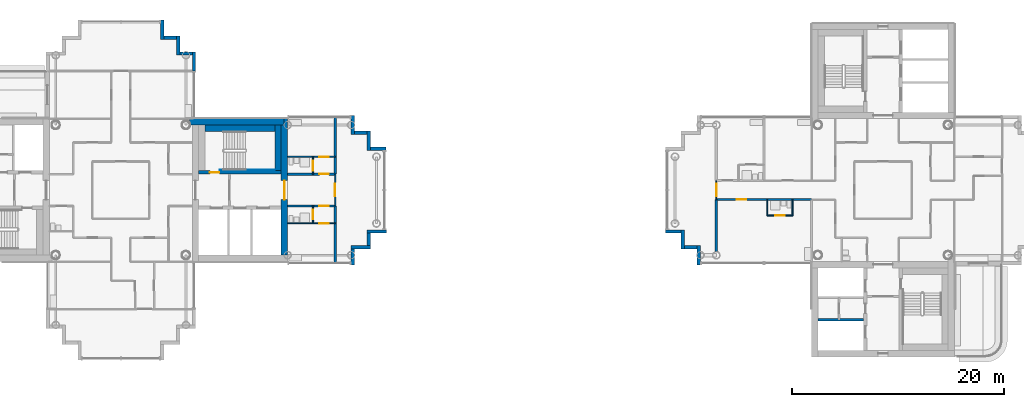
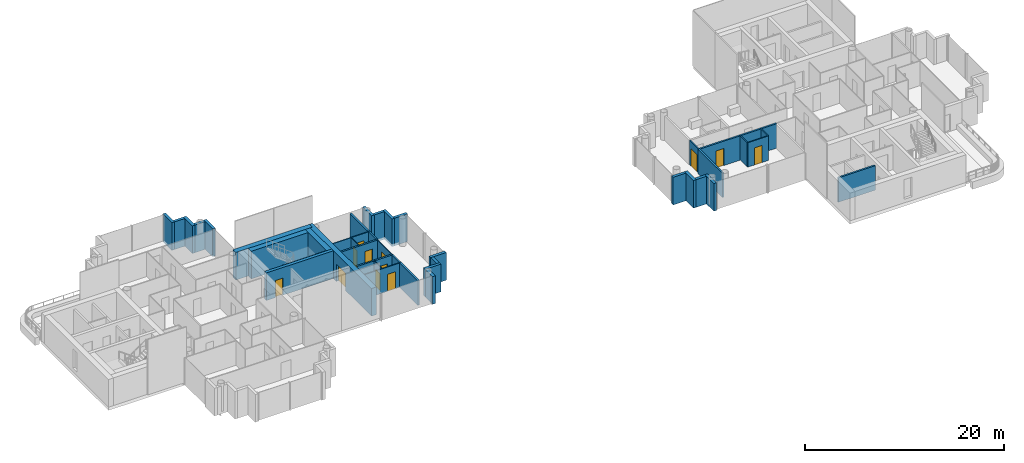
# One storey, part 8 of 18: 39 walls, 12 doors, 12 openings.
"""IFC4 building model written with IfcOpenShell, lengths in metres."""

from ifc_helpers import new_model, si_unit, direction, frame, frame_2d, origin, place, context, subcontext, project, spatial, rectangle, extrude, material, layer, layer_set, type_object, element, fill, save


model = new_model("IFC4")

# Units and contexts
model_context = context("Model", 3, precision=1e-05, world=origin(), true_north=direction((0.0, 1.0)))
body_context = subcontext(model_context, "Body", "Model", "MODEL_VIEW")
ifc_project = project(units=[si_unit("LENGTHUNIT", "METRE"), si_unit("AREAUNIT", "SQUARE_METRE"), si_unit("VOLUMEUNIT", "CUBIC_METRE"), si_unit("PLANEANGLEUNIT", "RADIAN"), si_unit("MASSUNIT", "GRAM", prefix="KILO")], contexts=[model_context])

# Site, building, storey
site_placement = place(None, origin())
site = spatial("IfcSite", under=ifc_project, at=site_placement, CompositionType="ELEMENT")
building_placement = place(site_placement, origin())
building = spatial("IfcBuilding", under=site, at=building_placement, Name="Ipe Terrace Towers", CompositionType="ELEMENT")
storey_placement = place(building_placement, frame((0.0, 0.0, 213.0)))
storey = spatial("IfcBuildingStorey", under=building, at=storey_placement, Name="L59", CompositionType="ELEMENT", Elevation=213.0)

# Walls
ifc_material_1 = material(Name="Concrete C40/50 with buff precast cladding", Category="concrete")
ifc_layer_1 = layer(ifc_material_1, 0.320068359375)
ifc_layer_set_1 = layer_set([ifc_layer_1], Name="BUFF CLADDING WALL 320")
wall_type_1 = type_object("IfcWallType", Name="BUFF CLADDING WALL 320", PredefinedType="STANDARD", material=ifc_layer_set_1)
wall_1_placement = place(storey_placement, frame((-14.090087890625, -7.070068359375, -0.300048828125), z_axis=(0.0, 0.0, 1.0), x_axis=(0.0, 1.0, 0.0)))
element("IfcWall", 1, at=wall_1_placement, inside=storey, type_object=wall_type_1, Name="T1-W-L59-17a wall", PredefinedType="STANDARD", context=body_context, shape_type="SweptSolid", body=[
    extrude(rectangle(XDim=1.5, YDim=0.320068359375, at=frame_2d((0.75, 0.0))), origin(), (0.0, 0.0, 1.0), 3.400146484375),
])
wall_2_placement = place(storey_placement, frame((-14.25, -5.409912109375, -0.300048828125), z_axis=(0.0, 0.0, 1.0), x_axis=(1.0, 0.0, 0.0)))
element("IfcWall", 2, at=wall_2_placement, inside=storey, type_object=wall_type_1, Name="T1-W-L59-18a wall", PredefinedType="STANDARD", context=body_context, shape_type="SweptSolid", body=[
    extrude(rectangle(XDim=1.820068359375, YDim=0.320068359375, at=frame_2d((0.91015625, 0.0))), origin(), (0.0, 0.0, 1.0), 3.400146484375),
])
wall_3_placement = place(storey_placement, frame((-12.590087890625, -5.25, -0.300048828125), z_axis=(0.0, 0.0, 1.0), x_axis=(0.0, 1.0, 0.0)))
element("IfcWall", 3, at=wall_3_placement, inside=storey, type_object=wall_type_1, Name="T1-W-L59-19a wall", PredefinedType="STANDARD", context=body_context, shape_type="SweptSolid", body=[
    extrude(rectangle(XDim=1.179931640625, YDim=0.320068359375, at=frame_2d((0.58984375, 0.0))), origin(), (0.0, 0.0, 1.0), 3.400146484375),
])
wall_4_placement = place(storey_placement, frame((-12.75, -3.909912109375, -0.300048828125), z_axis=(0.0, 0.0, 1.0), x_axis=(1.0, 0.0, 0.0)))
element("IfcWall", 4, at=wall_4_placement, inside=storey, type_object=wall_type_1, Name="T1-W-L59-20a wall", PredefinedType="STANDARD", context=body_context, shape_type="SweptSolid", body=[
    extrude(rectangle(XDim=1.820068359375, YDim=0.320068359375, at=frame_2d((0.91015625, 0.0))), origin(), (0.0, 0.0, 1.0), 3.400146484375),
])
wall_5_placement = place(storey_placement, frame((-10.929931640625, 3.909912109375, -0.300048828125), z_axis=(0.0, 0.0, 1.0), x_axis=(-1.0, 0.0, 0.0)))
element("IfcWall", 5, at=wall_5_placement, inside=storey, type_object=wall_type_1, Name="T1-W-L59-22a wall", PredefinedType="STANDARD", context=body_context, shape_type="SweptSolid", body=[
    extrude(rectangle(XDim=1.5, YDim=0.320068359375, at=frame_2d((0.75, 0.0))), origin(), (0.0, 0.0, 1.0), 3.400146484375),
])
wall_6_placement = place(storey_placement, frame((-12.590087890625, 3.75, -0.300048828125), z_axis=(0.0, 0.0, 1.0), x_axis=(0.0, 1.0, 0.0)))
element("IfcWall", 6, at=wall_6_placement, inside=storey, type_object=wall_type_1, Name="T1-W-L59-23a wall", PredefinedType="STANDARD", context=body_context, shape_type="SweptSolid", body=[
    extrude(rectangle(XDim=1.820068359375, YDim=0.320068359375, at=frame_2d((0.91015625, 0.0))), origin(), (0.0, 0.0, 1.0), 3.400146484375),
])
wall_7_placement = place(storey_placement, frame((-12.75, 5.409912109375, -0.300048828125), z_axis=(0.0, 0.0, 1.0), x_axis=(-1.0, 0.0, 0.0)))
element("IfcWall", 7, at=wall_7_placement, inside=storey, type_object=wall_type_1, Name="T1-W-L59-24a wall", PredefinedType="STANDARD", context=body_context, shape_type="SweptSolid", body=[
    extrude(rectangle(XDim=1.179931640625, YDim=0.320068359375, at=frame_2d((0.58984375, 0.0))), origin(), (0.0, 0.0, 1.0), 3.400146484375),
])
for number, where, z_axis, x_axis, name in (
    (8, (-14.090087890625, 5.25, -0.300048828125), (0.0, 0.0, 1.0), (0.0, 1.0, 0.0), "T1-W-L59-25a wall"),
    (9, (-29.090087890625, 11.25, -0.300048828125), (0.0, 0.0, 1.0), (0.0, 1.0, 0.0), "T1-W-L59-29a wall"),
):
    element("IfcWall", number, at=place(storey_placement, frame(where, z_axis=z_axis, x_axis=x_axis)), inside=storey, type_object=wall_type_1, Name=name, PredefinedType="STANDARD", context=body_context, shape_type="SweptSolid", body=[
        extrude(rectangle(XDim=1.820068359375, YDim=0.320068359375, at=frame_2d((0.91015625, 0.0))), origin(), (0.0, 0.0, 1.0), 3.400146484375),
    ])
wall_8_placement = place(storey_placement, frame((-29.25, 12.909912109375, -0.300048828125), z_axis=(0.0, 0.0, 1.0), x_axis=(-1.0, 0.0, 0.0)))
element("IfcWall", 10, at=wall_8_placement, inside=storey, type_object=wall_type_1, Name="T1-W-L59-30a wall", PredefinedType="STANDARD", context=body_context, shape_type="SweptSolid", body=[
    extrude(rectangle(XDim=1.179931640625, YDim=0.320068359375, at=frame_2d((0.58984375, 0.0))), origin(), (0.0, 0.0, 1.0), 3.400146484375),
])
wall_9_placement = place(storey_placement, frame((-30.590087890625, 12.75, -0.300048828125), z_axis=(0.0, 0.0, 1.0), x_axis=(0.0, 1.0, 0.0)))
element("IfcWall", 11, at=wall_9_placement, inside=storey, type_object=wall_type_1, Name="T1-W-L59-31a wall", PredefinedType="STANDARD", context=body_context, shape_type="SweptSolid", body=[
    extrude(rectangle(XDim=1.820068359375, YDim=0.320068359375, at=frame_2d((0.91015625, 0.0))), origin(), (0.0, 0.0, 1.0), 3.400146484375),
])
wall_10_placement = place(storey_placement, frame((-30.75, 14.409912109375, -0.300048828125), z_axis=(0.0, 0.0, 1.0), x_axis=(-1.0, 0.0, 0.0)))
element("IfcWall", 12, at=wall_10_placement, inside=storey, type_object=wall_type_1, Name="T1-W-L59-32a wall", PredefinedType="STANDARD", context=body_context, shape_type="SweptSolid", body=[
    extrude(rectangle(XDim=1.179931640625, YDim=0.320068359375, at=frame_2d((0.58984375, 0.0))), origin(), (0.0, 0.0, 1.0), 3.400146484375),
])
wall_11_placement = place(storey_placement, frame((-32.090087890625, 14.25, -0.300048828125), z_axis=(0.0, 0.0, 1.0), x_axis=(0.0, 1.0, 0.0)))
element("IfcWall", 13, at=wall_11_placement, inside=storey, type_object=wall_type_1, Name="T1-W-L59-33a wall", PredefinedType="STANDARD", context=body_context, shape_type="SweptSolid", body=[
    extrude(rectangle(XDim=1.820068359375, YDim=0.320068359375, at=frame_2d((0.91015625, 0.0))), origin(), (0.0, 0.0, 1.0), 3.400146484375),
])
wall_12_placement = place(storey_placement, frame((15.429931640625, -3.909912109375, -0.300048828125), z_axis=(0.0, 0.0, 1.0), x_axis=(1.0, 0.0, 0.0)))
element("IfcWall", 14, at=wall_12_placement, inside=storey, type_object=wall_type_1, Name="T2-W-L59-27a wall", PredefinedType="STANDARD", context=body_context, shape_type="SweptSolid", body=[
    extrude(rectangle(XDim=1.5, YDim=0.320068359375, at=frame_2d((0.75, 0.0))), origin(), (0.0, 0.0, 1.0), 3.400146484375),
])
wall_13_placement = place(storey_placement, frame((17.090087890625, -3.75, -0.300048828125), z_axis=(0.0, 0.0, 1.0), x_axis=(0.0, -1.0, 0.0)))
element("IfcWall", 15, at=wall_13_placement, inside=storey, type_object=wall_type_1, Name="T2-W-L59-28a wall", PredefinedType="STANDARD", context=body_context, shape_type="SweptSolid", body=[
    extrude(rectangle(XDim=1.820068359375, YDim=0.320068359375, at=frame_2d((0.91015625, 0.0))), origin(), (0.0, 0.0, 1.0), 3.400146484375),
])
wall_14_placement = place(storey_placement, frame((17.25, -5.409912109375, -0.300048828125), z_axis=(0.0, 0.0, 1.0), x_axis=(1.0, 0.0, 0.0)))
element("IfcWall", 16, at=wall_14_placement, inside=storey, type_object=wall_type_1, Name="T2-W-L59-29a wall", PredefinedType="STANDARD", context=body_context, shape_type="SweptSolid", body=[
    extrude(rectangle(XDim=1.179931640625, YDim=0.320068359375, at=frame_2d((0.58984375, 0.0))), origin(), (0.0, 0.0, 1.0), 3.400146484375),
])
wall_15_placement = place(storey_placement, frame((18.590087890625, -5.25, -0.300048828125), z_axis=(0.0, 0.0, 1.0), x_axis=(0.0, -1.0, 0.0)))
element("IfcWall", 17, at=wall_15_placement, inside=storey, type_object=wall_type_1, Name="T2-W-L59-30a wall", PredefinedType="STANDARD", context=body_context, shape_type="SweptSolid", body=[
    extrude(rectangle(XDim=1.820068359375, YDim=0.320068359375, at=frame_2d((0.91015625, 0.0))), origin(), (0.0, 0.0, 1.0), 3.400146484375),
])

# Wall, opening, door
ifc_material_2 = material(Name="Gypsum board partition", Category="plasterboard")
ifc_layer_2 = layer(ifc_material_2, 0.10009765625)
ifc_layer_set_2 = layer_set([ifc_layer_2], Name="Gypsum board partition 100 mm")
wall_type_2 = type_object("IfcWallType", Name="Gypsum board partition 100 mm", PredefinedType="PARTITIONING", material=ifc_layer_set_2)
wall_16_placement = place(storey_placement, frame((-17.85009765625, -3.14990234375, 0.0), z_axis=(0.0, 0.0, 1.0), x_axis=(0.0, 1.0, 0.0)))
wall_16 = element("IfcWall", 18, at=wall_16_placement, inside=storey, type_object=wall_type_2, Name="Gypsum board partition T1 L59 W13", PredefinedType="PARTITIONING", context=body_context, shape_type="SweptSolid", body=[
    extrude(rectangle(XDim=1.64990234375, YDim=0.10009765625, at=frame_2d((0.824951171875, 0.0))), origin(), (0.0, 0.0, 1.0), 3.0),
])
opening_1_placement = place(wall_16_placement, frame((0.39990234375, 0.0, 0.0)))
opening_1 = element("IfcOpeningElement", 19, at=opening_1_placement, cuts=wall_16, Name="Opening T1-Z4E-21", PredefinedType="OPENING", context=body_context, shape_type="SweptSolid", body=[
    extrude(rectangle(XDim=0.89990234375, YDim=2.10009765625, at=frame_2d((0.449951171875, 1.050048828125))), frame((0.0, 0.06005859375, 0.0), z_axis=(0.0, -1.0, 0.0), x_axis=(1.0, 0.0, 0.0)), (0.0, 0.0, 1.0), 0.1201171875),
])
ifc_material_3 = material(Name="Timber door leaf", Category="wood")
door_type_1 = type_object("IfcDoorType", Name="Bathroom door 900 x 2100", OperationType="NOTDEFINED", PredefinedType="DOOR", material=ifc_material_3)
door_1_placement = place(opening_1_placement, origin())
door_1 = element("IfcDoor", 20, at=door_1_placement, inside=storey, type_object=door_type_1, Name="Bathroom door T1-Z4E-21", OperationType="SINGLE_SWING_LEFT", OverallHeight=2.10009765625, OverallWidth=0.89990234375, PredefinedType="DOOR", context=body_context, shape_type="SweptSolid", body=[
    extrude(rectangle(XDim=0.89990234375, YDim=2.10009765625, at=frame_2d((0.449951171875, 1.050048828125))), frame((0.0, 0.02490234375, 0.0), z_axis=(0.0, -1.0, 0.0), x_axis=(1.0, 0.0, 0.0)), (0.0, 0.0, 1.0), 0.050048828125),
])
fill(opening_1, door_1)

wall_17_placement = place(storey_placement, frame((-17.85009765625, 1.5, 0.0), z_axis=(0.0, 0.0, 1.0), x_axis=(0.0, 1.0, 0.0)))
wall_17 = element("IfcWall", 21, at=wall_17_placement, inside=storey, type_object=wall_type_2, Name="Gypsum board partition T1 L59 W14", PredefinedType="PARTITIONING", context=body_context, shape_type="SweptSolid", body=[
    extrude(rectangle(XDim=1.64990234375, YDim=0.10009765625, at=frame_2d((0.824951171875, 0.0))), origin(), (0.0, 0.0, 1.0), 3.0),
])
opening_2_placement = place(wall_17_placement, frame((0.35009765625, 0.0, 0.0)))
opening_2 = element("IfcOpeningElement", 22, at=opening_2_placement, cuts=wall_17, Name="Opening T1-Z4E-18", PredefinedType="OPENING", context=body_context, shape_type="SweptSolid", body=[
    extrude(rectangle(XDim=0.89990234375, YDim=2.10009765625, at=frame_2d((0.449951171875, 1.050048828125))), frame((0.0, 0.06005859375, 0.0), z_axis=(0.0, -1.0, 0.0), x_axis=(1.0, 0.0, 0.0)), (0.0, 0.0, 1.0), 0.1201171875),
])
door_2_placement = place(opening_2_placement, origin())
door_2 = element("IfcDoor", 23, at=door_2_placement, inside=storey, type_object=door_type_1, Name="Bathroom door T1-Z4E-18", OperationType="SINGLE_SWING_RIGHT", OverallHeight=2.10009765625, OverallWidth=0.89990234375, PredefinedType="DOOR", context=body_context, shape_type="SweptSolid", body=[
    extrude(rectangle(XDim=0.89990234375, YDim=2.10009765625, at=frame_2d((0.449951171875, 1.050048828125))), frame((0.0, 0.02490234375, 0.0), z_axis=(0.0, -1.0, 0.0), x_axis=(1.0, 0.0, 0.0)), (0.0, 0.0, 1.0), 0.050048828125),
])
fill(opening_2, door_2)

wall_18_placement = place(storey_placement, frame((-15.75, -1.5, 0.0), z_axis=(0.0, 0.0, 1.0), x_axis=(0.0, 1.0, 0.0)))
wall_18 = element("IfcWall", 24, at=wall_18_placement, inside=storey, type_object=wall_type_2, Name="Gypsum board partition T1 L59 W15", PredefinedType="PARTITIONING", context=body_context, shape_type="SweptSolid", body=[
    extrude(rectangle(XDim=3.0, YDim=0.10009765625, at=frame_2d((1.5, 0.0))), origin(), (0.0, 0.0, 1.0), 3.0),
])
opening_3_placement = place(wall_18_placement, frame((0.89990234375, 0.0, 0.0)))
opening_3 = element("IfcOpeningElement", 25, at=opening_3_placement, cuts=wall_18, Name="Opening T1-Z4E-22", PredefinedType="OPENING", context=body_context, shape_type="SweptSolid", body=[
    extrude(rectangle(XDim=1.199951171875, YDim=2.10009765625, at=frame_2d((0.60009765625, 1.050048828125))), frame((0.0, 0.06005859375, 0.0), z_axis=(0.0, -1.0, 0.0), x_axis=(1.0, 0.0, 0.0)), (0.0, 0.0, 1.0), 0.1201171875),
])
ifc_material_4 = material(Name="Timber door leaf", Category="wood")
door_type_2 = type_object("IfcDoorType", Name="Lounge door 1200 x 2100", OperationType="NOTDEFINED", PredefinedType="DOOR", material=ifc_material_4)
door_3_placement = place(opening_3_placement, origin())
door_3 = element("IfcDoor", 26, at=door_3_placement, inside=storey, type_object=door_type_2, Name="Lounge door T1-Z4E-22", OperationType="SINGLE_SWING_RIGHT", OverallHeight=2.10009765625, OverallWidth=1.199951171875, PredefinedType="DOOR", context=body_context, shape_type="SweptSolid", body=[
    extrude(rectangle(XDim=1.199951171875, YDim=2.10009765625, at=frame_2d((0.60009765625, 1.050048828125))), frame((0.0, 0.02490234375, 0.0), z_axis=(0.0, -1.0, 0.0), x_axis=(1.0, 0.0, 0.0)), (0.0, 0.0, 1.0), 0.050048828125),
])
fill(opening_3, door_3)

wall_19_placement = place(storey_placement, frame((-20.25, -3.14990234375, 0.0), z_axis=(0.0, 0.0, 1.0), x_axis=(1.0, 0.0, 0.0)))
wall_19 = element("IfcWall", 27, at=wall_19_placement, inside=storey, type_object=wall_type_2, Name="Gypsum board partition T1 L59 W25", PredefinedType="PARTITIONING", context=body_context, shape_type="SweptSolid", body=[
    extrude(rectangle(XDim=4.5, YDim=0.10009765625, at=frame_2d((2.25, 0.0))), origin(), (0.0, 0.0, 1.0), 3.0),
])
opening_4_placement = place(wall_19_placement, frame((3.0, 0.0, 0.0)))
opening_4 = element("IfcOpeningElement", 28, at=opening_4_placement, cuts=wall_19, Name="Opening T1-Z4E-20", PredefinedType="OPENING", context=body_context, shape_type="SweptSolid", body=[
    extrude(rectangle(XDim=0.89990234375, YDim=2.10009765625, at=frame_2d((0.449951171875, 1.050048828125))), frame((0.0, 0.06005859375, 0.0), z_axis=(0.0, -1.0, 0.0), x_axis=(1.0, 0.0, 0.0)), (0.0, 0.0, 1.0), 0.1201171875),
])
ifc_material_5 = material(Name="Timber door leaf", Category="wood")
door_type_3 = type_object("IfcDoorType", Name="Bedroom door 900 x 2100", OperationType="NOTDEFINED", PredefinedType="DOOR", material=ifc_material_5)
door_4_placement = place(opening_4_placement, origin())
door_4 = element("IfcDoor", 29, at=door_4_placement, inside=storey, type_object=door_type_3, Name="Bedroom door T1-Z4E-20", OperationType="SINGLE_SWING_RIGHT", OverallHeight=2.10009765625, OverallWidth=0.89990234375, PredefinedType="DOOR", context=body_context, shape_type="SweptSolid", body=[
    extrude(rectangle(XDim=0.89990234375, YDim=2.10009765625, at=frame_2d((0.449951171875, 1.050048828125))), frame((0.0, 0.02490234375, 0.0), z_axis=(0.0, -1.0, 0.0), x_axis=(1.0, 0.0, 0.0)), (0.0, 0.0, 1.0), 0.050048828125),
])
fill(opening_4, door_4)

wall_20_placement = place(storey_placement, frame((-20.25, 3.14990234375, 0.0), z_axis=(0.0, 0.0, 1.0), x_axis=(1.0, 0.0, 0.0)))
wall_20 = element("IfcWall", 30, at=wall_20_placement, inside=storey, type_object=wall_type_2, Name="Gypsum board partition T1 L59 W34", PredefinedType="PARTITIONING", context=body_context, shape_type="SweptSolid", body=[
    extrude(rectangle(XDim=4.5, YDim=0.10009765625, at=frame_2d((2.25, 0.0))), origin(), (0.0, 0.0, 1.0), 3.0),
])
opening_5_placement = place(wall_20_placement, frame((3.0, 0.0, 0.0)))
opening_5 = element("IfcOpeningElement", 31, at=opening_5_placement, cuts=wall_20, Name="Opening T1-Z4E-17", PredefinedType="OPENING", context=body_context, shape_type="SweptSolid", body=[
    extrude(rectangle(XDim=0.89990234375, YDim=2.10009765625, at=frame_2d((0.449951171875, 1.050048828125))), frame((0.0, 0.06005859375, 0.0), z_axis=(0.0, -1.0, 0.0), x_axis=(1.0, 0.0, 0.0)), (0.0, 0.0, 1.0), 0.1201171875),
])
door_5_placement = place(opening_5_placement, origin())
door_5 = element("IfcDoor", 32, at=door_5_placement, inside=storey, type_object=door_type_3, Name="Bedroom door T1-Z4E-17", OperationType="SINGLE_SWING_LEFT", OverallHeight=2.10009765625, OverallWidth=0.89990234375, PredefinedType="DOOR", context=body_context, shape_type="SweptSolid", body=[
    extrude(rectangle(XDim=0.89990234375, YDim=2.10009765625, at=frame_2d((0.449951171875, 1.050048828125))), frame((0.0, 0.02490234375, 0.0), z_axis=(0.0, -1.0, 0.0), x_axis=(1.0, 0.0, 0.0)), (0.0, 0.0, 1.0), 0.050048828125),
])
fill(opening_5, door_5)

wall_21_placement = place(storey_placement, frame((27.449951171875, -2.39990234375, 0.0), z_axis=(0.0, 0.0, 1.0), x_axis=(-1.0, 0.0, 0.0)))
wall_21 = element("IfcWall", 33, at=wall_21_placement, inside=storey, type_object=wall_type_2, Name="Gypsum board partition T2 L59 W04", PredefinedType="PARTITIONING", context=body_context, shape_type="SweptSolid", body=[
    extrude(rectangle(XDim=2.39990234375, YDim=0.10009765625, at=frame_2d((1.199951171875, 0.0))), origin(), (0.0, 0.0, 1.0), 3.0),
])
opening_6_placement = place(wall_21_placement, frame((0.75, 0.0, 0.0)))
opening_6 = element("IfcOpeningElement", 34, at=opening_6_placement, cuts=wall_21, Name="Opening T2-Z4E-11", PredefinedType="OPENING", context=body_context, shape_type="SweptSolid", body=[
    extrude(rectangle(XDim=0.89990234375, YDim=2.10009765625, at=frame_2d((0.449951171875, 1.050048828125))), frame((0.0, 0.06005859375, 0.0), z_axis=(0.0, -1.0, 0.0), x_axis=(1.0, 0.0, 0.0)), (0.0, 0.0, 1.0), 0.1201171875),
])
door_6_placement = place(opening_6_placement, origin())
door_6 = element("IfcDoor", 35, at=door_6_placement, inside=storey, type_object=door_type_1, Name="Bathroom door T2-Z4E-11", OperationType="SINGLE_SWING_RIGHT", OverallHeight=2.10009765625, OverallWidth=0.89990234375, PredefinedType="DOOR", context=body_context, shape_type="SweptSolid", body=[
    extrude(rectangle(XDim=0.89990234375, YDim=2.10009765625, at=frame_2d((0.449951171875, 1.050048828125))), frame((0.0, 0.02490234375, 0.0), z_axis=(0.0, -1.0, 0.0), x_axis=(1.0, 0.0, 0.0)), (0.0, 0.0, 1.0), 0.050048828125),
])
fill(opening_6, door_6)

# Walls
for number, where, z_axis, x_axis, name in (
    (36, (27.449951171875, -2.39990234375, 0.0), (0.0, 0.0, 1.0), (0.0, 1.0, 0.0), "Gypsum board partition T2 L59 W34"),
    (37, (25.050048828125, -2.39990234375, 0.0), (0.0, 0.0, 1.0), (0.0, 1.0, 0.0), "Gypsum board partition T2 L59 W35"),
):
    element("IfcWall", number, at=place(storey_placement, frame(where, z_axis=z_axis, x_axis=x_axis)), inside=storey, type_object=wall_type_2, Name=name, PredefinedType="PARTITIONING", context=body_context, shape_type="SweptSolid", body=[
        extrude(rectangle(XDim=1.5, YDim=0.10009765625, at=frame_2d((0.75, 0.0))), origin(), (0.0, 0.0, 1.0), 3.0),
    ])

# Wall, opening, door
wall_22_placement = place(storey_placement, frame((20.25, -0.89990234375, 0.0), z_axis=(0.0, 0.0, 1.0), x_axis=(0.0, 1.0, 0.0)))
wall_22 = element("IfcWall", 38, at=wall_22_placement, inside=storey, type_object=wall_type_2, Name="Gypsum board partition T2 L59 W38", PredefinedType="PARTITIONING", context=body_context, shape_type="SweptSolid", body=[
    extrude(rectangle(XDim=1.7998046875, YDim=0.10009765625, at=frame_2d((0.89990234375, 0.0))), origin(), (0.0, 0.0, 1.0), 3.0),
])
opening_7_placement = place(wall_22_placement, frame((0.300048828125, 0.0, 0.0)))
opening_7 = element("IfcOpeningElement", 39, at=opening_7_placement, cuts=wall_22, Name="Opening T2-Z4E-15", PredefinedType="OPENING", context=body_context, shape_type="SweptSolid", body=[
    extrude(rectangle(XDim=1.199951171875, YDim=2.10009765625, at=frame_2d((0.60009765625, 1.050048828125))), frame((0.0, 0.06005859375, 0.0), z_axis=(0.0, -1.0, 0.0), x_axis=(1.0, 0.0, 0.0)), (0.0, 0.0, 1.0), 0.1201171875),
])
door_7_placement = place(opening_7_placement, origin())
door_7 = element("IfcDoor", 40, at=door_7_placement, inside=storey, type_object=door_type_2, Name="Lounge door T2-Z4E-15", OperationType="SINGLE_SWING_LEFT", OverallHeight=2.10009765625, OverallWidth=1.199951171875, PredefinedType="DOOR", context=body_context, shape_type="SweptSolid", body=[
    extrude(rectangle(XDim=1.199951171875, YDim=2.10009765625, at=frame_2d((0.60009765625, 1.050048828125))), frame((0.0, 0.02490234375, 0.0), z_axis=(0.0, -1.0, 0.0), x_axis=(1.0, 0.0, 0.0)), (0.0, 0.0, 1.0), 0.050048828125),
])
fill(opening_7, door_7)

# Walls
ifc_material_6 = material(Name="Gypsum board party wall", Category="plasterboard")
ifc_layer_3 = layer(ifc_material_6, 0.199951171875)
ifc_layer_set_3 = layer_set([ifc_layer_3], Name="Gypsum board party wall 200 mm")
wall_type_3 = type_object("IfcWallType", Name="Gypsum board party wall 200 mm", PredefinedType="SOLIDWALL", material=ifc_layer_set_3)
for number, where, z_axis, x_axis, name in (
    (41, (-15.75, -6.85009765625, 0.0), (0.0, 0.0, 1.0), (0.0, 1.0, 0.0), "Gypsum board party wall T1 L59 W16"),
    (42, (-15.75, 1.5, 0.0), (0.0, 0.0, 1.0), (0.0, 1.0, 0.0), "Gypsum board party wall T1 L59 W17"),
):
    element("IfcWall", number, at=place(storey_placement, frame(where, z_axis=z_axis, x_axis=x_axis)), inside=storey, type_object=wall_type_3, Name=name, PredefinedType="SOLIDWALL", context=body_context, shape_type="SweptSolid", body=[
        extrude(rectangle(XDim=5.35009765625, YDim=0.199951171875, at=frame_2d((2.675048828125, 0.0))), origin(), (0.0, 0.0, 1.0), 3.0),
    ])

# Wall, opening, door
wall_23_placement = place(storey_placement, frame((-20.25, -1.5, 0.0), z_axis=(0.0, 0.0, 1.0), x_axis=(1.0, 0.0, 0.0)))
wall_23 = element("IfcWall", 43, at=wall_23_placement, inside=storey, type_object=wall_type_3, Name="Gypsum board party wall T1 L59 W29", PredefinedType="SOLIDWALL", context=body_context, shape_type="SweptSolid", body=[
    extrude(rectangle(XDim=4.5, YDim=0.199951171875, at=frame_2d((2.25, 0.0))), origin(), (0.0, 0.0, 1.0), 3.0),
])
opening_8_placement = place(wall_23_placement, frame((3.0, 0.0, 0.0)))
opening_8 = element("IfcOpeningElement", 44, at=opening_8_placement, cuts=wall_23, Name="Opening T1-Z4E-19", PredefinedType="OPENING", context=body_context, shape_type="SweptSolid", body=[
    extrude(rectangle(XDim=0.89990234375, YDim=2.10009765625, at=frame_2d((0.449951171875, 1.050048828125))), frame((0.0, 0.10986328125, 0.0), z_axis=(0.0, -1.0, 0.0), x_axis=(1.0, 0.0, 0.0)), (0.0, 0.0, 1.0), 0.219970703125),
])
ifc_material_7 = material(Name="Fire-rated timber door leaf", Category="wood")
door_type_4 = type_object("IfcDoorType", Name="Flat entrance door 900 x 2100 FD30S", OperationType="NOTDEFINED", PredefinedType="DOOR", material=ifc_material_7)
door_8_placement = place(opening_8_placement, origin())
door_8 = element("IfcDoor", 45, at=door_8_placement, inside=storey, type_object=door_type_4, Name="Flat entrance door T1-Z4E-19", OperationType="SINGLE_SWING_RIGHT", OverallHeight=2.10009765625, OverallWidth=0.89990234375, PredefinedType="DOOR", context=body_context, shape_type="SweptSolid", body=[
    extrude(rectangle(XDim=0.89990234375, YDim=2.10009765625, at=frame_2d((0.449951171875, 1.050048828125))), frame((0.0, 0.02490234375, 0.0), z_axis=(0.0, -1.0, 0.0), x_axis=(1.0, 0.0, 0.0)), (0.0, 0.0, 1.0), 0.050048828125),
])
fill(opening_8, door_8)

wall_24_placement = place(storey_placement, frame((-20.25, 1.5, 0.0), z_axis=(0.0, 0.0, 1.0), x_axis=(1.0, 0.0, 0.0)))
wall_24 = element("IfcWall", 46, at=wall_24_placement, inside=storey, type_object=wall_type_3, Name="Gypsum board party wall T1 L59 W32", PredefinedType="SOLIDWALL", context=body_context, shape_type="SweptSolid", body=[
    extrude(rectangle(XDim=4.5, YDim=0.199951171875, at=frame_2d((2.25, 0.0))), origin(), (0.0, 0.0, 1.0), 3.0),
])
opening_9_placement = place(wall_24_placement, frame((3.0, 0.0, 0.0)))
opening_9 = element("IfcOpeningElement", 47, at=opening_9_placement, cuts=wall_24, Name="Opening T1-Z4E-16", PredefinedType="OPENING", context=body_context, shape_type="SweptSolid", body=[
    extrude(rectangle(XDim=0.89990234375, YDim=2.10009765625, at=frame_2d((0.449951171875, 1.050048828125))), frame((0.0, 0.10986328125, 0.0), z_axis=(0.0, -1.0, 0.0), x_axis=(1.0, 0.0, 0.0)), (0.0, 0.0, 1.0), 0.219970703125),
])
door_9_placement = place(opening_9_placement, origin())
door_9 = element("IfcDoor", 48, at=door_9_placement, inside=storey, type_object=door_type_4, Name="Flat entrance door T1-Z4E-16", OperationType="SINGLE_SWING_LEFT", OverallHeight=2.10009765625, OverallWidth=0.89990234375, PredefinedType="DOOR", context=body_context, shape_type="SweptSolid", body=[
    extrude(rectangle(XDim=0.89990234375, YDim=2.10009765625, at=frame_2d((0.449951171875, 1.050048828125))), frame((0.0, 0.02490234375, 0.0), z_axis=(0.0, -1.0, 0.0), x_axis=(1.0, 0.0, 0.0)), (0.0, 0.0, 1.0), 0.050048828125),
])
fill(opening_9, door_9)

# Wall
wall_25_placement = place(storey_placement, frame((29.85009765625, -12.25, 0.0), z_axis=(0.0, 0.0, 1.0), x_axis=(1.0, 0.0, 0.0)))
element("IfcWall", 49, at=wall_25_placement, inside=storey, type_object=wall_type_3, Name="Gypsum board party wall T2 L59 t2c2-shaft-div2", PredefinedType="SOLIDWALL", context=body_context, shape_type="SweptSolid", body=[
    extrude(rectangle(XDim=4.2998046875, YDim=0.199951171875, at=frame_2d((2.14990234375, 0.0))), origin(), (0.0, 0.0, 1.0), 3.0),
])

# Wall, opening, door
wall_26_placement = place(storey_placement, frame((29.25, -0.89990234375, 0.0), z_axis=(0.0, 0.0, 1.0), x_axis=(-1.0, 0.0, 0.0)))
wall_26 = element("IfcWall", 50, at=wall_26_placement, inside=storey, type_object=wall_type_3, Name="Gypsum board party wall T2 L59 W07", PredefinedType="SOLIDWALL", context=body_context, shape_type="SweptSolid", body=[
    extrude(rectangle(XDim=9.0, YDim=0.199951171875, at=frame_2d((4.5, 0.0))), origin(), (0.0, 0.0, 1.0), 3.0),
])
opening_10_placement = place(wall_26_placement, frame((6.14990234375, 0.0, 0.0)))
opening_10 = element("IfcOpeningElement", 51, at=opening_10_placement, cuts=wall_26, Name="Opening T2-Z4E-10", PredefinedType="OPENING", context=body_context, shape_type="SweptSolid", body=[
    extrude(rectangle(XDim=0.89990234375, YDim=2.10009765625, at=frame_2d((0.449951171875, 1.050048828125))), frame((0.0, 0.10986328125, 0.0), z_axis=(0.0, -1.0, 0.0), x_axis=(1.0, 0.0, 0.0)), (0.0, 0.0, 1.0), 0.219970703125),
])
door_10_placement = place(opening_10_placement, origin())
door_10 = element("IfcDoor", 52, at=door_10_placement, inside=storey, type_object=door_type_4, Name="Flat entrance door T2-Z4E-10", OperationType="SINGLE_SWING_LEFT", OverallHeight=2.10009765625, OverallWidth=0.89990234375, PredefinedType="DOOR", context=body_context, shape_type="SweptSolid", body=[
    extrude(rectangle(XDim=0.89990234375, YDim=2.10009765625, at=frame_2d((0.449951171875, 1.050048828125))), frame((0.0, 0.02490234375, 0.0), z_axis=(0.0, -1.0, 0.0), x_axis=(1.0, 0.0, 0.0)), (0.0, 0.0, 1.0), 0.050048828125),
])
fill(opening_10, door_10)

# Wall
wall_27_placement = place(storey_placement, frame((20.25, -5.800048828125, 0.0), z_axis=(0.0, 0.0, 1.0), x_axis=(0.0, 1.0, 0.0)))
element("IfcWall", 53, at=wall_27_placement, inside=storey, type_object=wall_type_3, Name="Gypsum board party wall T2 L59 W39", PredefinedType="SOLIDWALL", context=body_context, shape_type="SweptSolid", body=[
    extrude(rectangle(XDim=4.900146484375, YDim=0.199951171875, at=frame_2d((2.4501953125, 0.0))), origin(), (0.0, 0.0, 1.0), 3.0),
])

# Wall, opening, door
ifc_material_8 = material(Name="Concrete C40/50", Category="concrete")
ifc_layer_4 = layer(ifc_material_8, 0.35009765625)
ifc_layer_set_4 = layer_set([ifc_layer_4], Name="RW350 CORE SPINE WALL 350 C40-50")
wall_type_4 = type_object("IfcWallType", Name="RW350 CORE SPINE WALL 350 C40-50", PredefinedType="SHEAR", material=ifc_layer_set_4)
wall_28_placement = place(storey_placement, frame((-28.64990234375, 1.675048828125, 0.0), z_axis=(0.0, 0.0, 1.0), x_axis=(1.0, 0.0, 0.0)))
wall_28 = element("IfcWall", 54, at=wall_28_placement, inside=storey, type_object=wall_type_4, Name="Core spine wall T1-C1-Z4-SW2", PredefinedType="SHEAR", context=body_context, shape_type="SweptSolid", body=[
    extrude(rectangle(XDim=7.7998046875, YDim=0.35009765625, at=frame_2d((3.89990234375, 0.0))), origin(), (0.0, 0.0, 1.0), 3.39990234375),
])
opening_11_placement = place(wall_28_placement, frame((1.050048828125, 0.0, 0.0)))
opening_11 = element("IfcOpeningElement", 55, at=opening_11_placement, cuts=wall_28, Name="Opening T1C1-SD", PredefinedType="OPENING", context=body_context, shape_type="SweptSolid", body=[
    extrude(rectangle(XDim=0.89990234375, YDim=2.10009765625, at=frame_2d((0.449951171875, 1.050048828125))), frame((0.0, 0.18505859375, 0.0), z_axis=(0.0, -1.0, 0.0), x_axis=(1.0, 0.0, 0.0)), (0.0, 0.0, 1.0), 0.3701171875),
])
ifc_material_9 = material(Name="Fire-rated timber door leaf", Category="wood")
door_type_5 = type_object("IfcDoorType", Name="Stair door 900 x 2100 FD60", OperationType="NOTDEFINED", PredefinedType="DOOR", material=ifc_material_9)
door_11_placement = place(opening_11_placement, origin())
door_11 = element("IfcDoor", 56, at=door_11_placement, inside=storey, type_object=door_type_5, Name="Stair door T1C1-SD", OperationType="SINGLE_SWING_LEFT", OverallHeight=2.10009765625, OverallWidth=0.89990234375, PredefinedType="DOOR", context=body_context, shape_type="SweptSolid", body=[
    extrude(rectangle(XDim=0.89990234375, YDim=2.10009765625, at=frame_2d((0.449951171875, 1.050048828125))), frame((0.0, 0.02490234375, 0.0), z_axis=(0.0, -1.0, 0.0), x_axis=(1.0, 0.0, 0.0)), (0.0, 0.0, 1.0), 0.050048828125),
])
fill(opening_11, door_11)

# Walls
ifc_material_10 = material(Name="Concrete C40/50", Category="concrete")
ifc_layer_5 = layer(ifc_material_10, 0.050048828125)
ifc_layer_set_5 = layer_set([ifc_layer_5], Name="RW50 CORE INFILL WALL 50 C40-50")
wall_type_5 = type_object("IfcWallType", Name="RW50 CORE INFILL WALL 50 C40-50", PredefinedType="SHEAR", material=ifc_layer_set_5)
wall_29_placement = place(storey_placement, frame((-26.64990234375, 1.875, 0.0), z_axis=(0.0, 0.0, 1.0), x_axis=(1.0, 0.0, 0.0)))
element("IfcWall", 57, at=wall_29_placement, inside=storey, type_object=wall_type_5, Name="Core infill wall T1-C1-spine-b", PredefinedType="SHEAR", context=body_context, shape_type="SweptSolid", body=[
    extrude(rectangle(XDim=5.199951171875, YDim=0.050048828125, at=frame_2d((2.60009765625, 0.0))), origin(), (0.0, 0.0, 1.0), 3.39990234375),
])
ifc_material_11 = material(Name="Concrete C40/50", Category="concrete")
ifc_layer_6 = layer(ifc_material_11, 0.60009765625)
ifc_layer_set_6 = layer_set([ifc_layer_6], Name="RW600 CORE INFILL WALL 600 C40-50")
wall_type_6 = type_object("IfcWallType", Name="RW600 CORE INFILL WALL 600 C40-50", PredefinedType="SHEAR", material=ifc_layer_set_6)
wall_30_placement = place(storey_placement, frame((-21.14990234375, 1.85009765625, 0.0), z_axis=(0.0, 0.0, 1.0), x_axis=(0.0, 1.0, 0.0)))
element("IfcWall", 58, at=wall_30_placement, inside=storey, type_object=wall_type_6, Name="Core infill wall T1-C1-far", PredefinedType="SHEAR", context=body_context, shape_type="SweptSolid", body=[
    extrude(rectangle(XDim=4.2998046875, YDim=0.60009765625, at=frame_2d((2.14990234375, 0.0))), origin(), (0.0, 0.0, 1.0), 3.39990234375),
])
wall_31_placement = place(storey_placement, frame((-28.050048828125, 5.85009765625, 0.0), z_axis=(0.0, 0.0, 1.0), x_axis=(1.0, 0.0, 0.0)))
element("IfcWall", 59, at=wall_31_placement, inside=storey, type_object=wall_type_6, Name="Core infill wall T1-C1-back", PredefinedType="SHEAR", context=body_context, shape_type="SweptSolid", body=[
    extrude(rectangle(XDim=6.60009765625, YDim=0.60009765625, at=frame_2d((3.300048828125, 0.0))), origin(), (0.0, 0.0, 1.0), 3.39990234375),
])

# Wall, opening, door
ifc_material_12 = material(Name="Concrete C40/50", Category="concrete")
ifc_layer_7 = layer(ifc_material_12, 0.60009765625)
ifc_layer_set_7 = layer_set([ifc_layer_7], Name="RW600 CORE WALL 600 C40-50")
wall_type_7 = type_object("IfcWallType", Name="RW600 CORE WALL 600 C40-50", PredefinedType="SHEAR", material=ifc_layer_set_7)
wall_32_placement = place(storey_placement, frame((-20.550048828125, -6.14990234375, 0.0), z_axis=(0.0, 0.0, 1.0), x_axis=(0.0, 1.0, 0.0)))
wall_32 = element("IfcWall", 60, at=wall_32_placement, inside=storey, type_object=wall_type_7, Name="Core wall T1-C1-Z4-W02", PredefinedType="SHEAR", context=body_context, shape_type="SweptSolid", body=[
    extrude(rectangle(XDim=12.89990234375, YDim=0.60009765625, at=frame_2d((6.449951171875, 0.0))), origin(), (0.0, 0.0, 1.0), 3.39990234375),
])
opening_12_placement = place(wall_32_placement, frame((5.25, 0.0, 0.0)))
opening_12 = element("IfcOpeningElement", 61, at=opening_12_placement, cuts=wall_32, Name="Opening T1C1-FD", PredefinedType="OPENING", context=body_context, shape_type="SweptSolid", body=[
    extrude(rectangle(XDim=1.800048828125, YDim=2.10009765625, at=frame_2d((0.89990234375, 1.050048828125))), frame((0.0, 0.31005859375, 0.0), z_axis=(0.0, -1.0, 0.0), x_axis=(1.0, 0.0, 0.0)), (0.0, 0.0, 1.0), 0.6201171875),
])
ifc_material_13 = material(Name="Fire-rated timber door leaf", Category="wood")
door_type_6 = type_object("IfcDoorType", Name="Fire door 1800 x 2100 FD30S", OperationType="NOTDEFINED", PredefinedType="DOOR", material=ifc_material_13)
door_12_placement = place(opening_12_placement, origin())
door_12 = element("IfcDoor", 62, at=door_12_placement, inside=storey, type_object=door_type_6, Name="Fire door T1C1-FD", OperationType="SINGLE_SWING_LEFT", OverallHeight=2.10009765625, OverallWidth=1.800048828125, PredefinedType="DOOR", context=body_context, shape_type="SweptSolid", body=[
    extrude(rectangle(XDim=1.800048828125, YDim=2.10009765625, at=frame_2d((0.89990234375, 1.050048828125))), frame((0.0, 0.02490234375, 0.0), z_axis=(0.0, -1.0, 0.0), x_axis=(1.0, 0.0, 0.0)), (0.0, 0.0, 1.0), 0.050048828125),
])
fill(opening_12, door_12)

# Wall
wall_33_placement = place(storey_placement, frame((-20.60205078125, 6.449951171875, 0.0), z_axis=(0.0, 0.0, 1.0), x_axis=(-1.0, 0.0, 0.0)))
element("IfcWall", 63, at=wall_33_placement, inside=storey, type_object=wall_type_7, Name="Core wall T1-C1-Z4-W03", PredefinedType="SHEAR", context=body_context, shape_type="SweptSolid", body=[
    extrude(rectangle(XDim=8.89599609375, YDim=0.60009765625, at=frame_2d((4.447998046875, 0.0))), origin(), (0.0, 0.0, 1.0), 3.39990234375),
])

save(model, "model.ifc")
